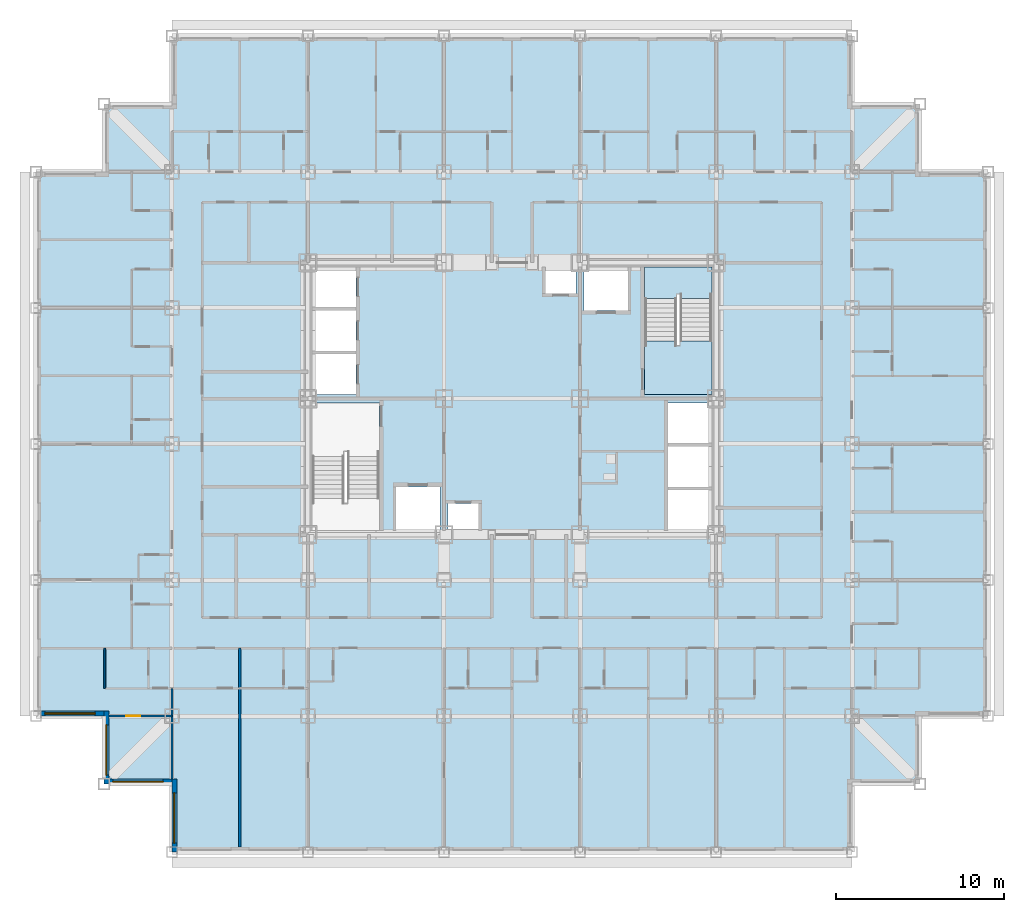
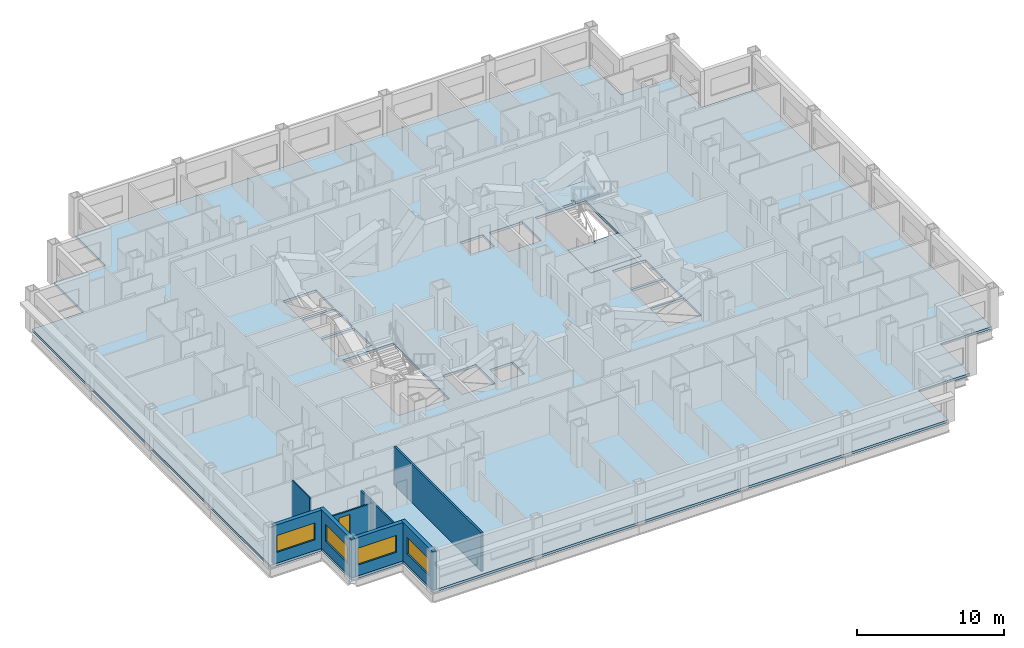
# One storey, part 3 of 14: 8 walls, 4 windows, 3 slabs, 1 door, 5 openings, 1 element without a shape of its own.
"""IFC4 building model written with IfcOpenShell, lengths in metres."""

from ifc_helpers import new_model, si_unit, direction, frame, frame_2d, origin, place, context, subcontext, project, spatial, polyline, rectangle, outline, extrude, material, layer, layer_set, type_object, element, fill, aggregate, save


model = new_model("IFC4")

# Units and contexts
model_context = context("Model", 3, precision=1e-05, world=origin(), true_north=direction((0.0, 1.0)))
body_context = subcontext(model_context, "Body", "Model", "MODEL_VIEW")
ifc_project = project(units=[si_unit("LENGTHUNIT", "METRE"), si_unit("AREAUNIT", "SQUARE_METRE"), si_unit("VOLUMEUNIT", "CUBIC_METRE"), si_unit("PLANEANGLEUNIT", "RADIAN"), si_unit("MASSUNIT", "GRAM", prefix="KILO")], contexts=[model_context])

# Site, building, storey
site_placement = place(None, origin())
site = spatial("IfcSite", under=ifc_project, at=site_placement, CompositionType="ELEMENT")
building_placement = place(site_placement, origin())
building = spatial("IfcBuilding", under=site, at=building_placement, Name="Kopane Lantern Tower", CompositionType="ELEMENT")
storey_placement = place(building_placement, frame((0.0, 0.0, 151.0)))
storey = spatial("IfcBuildingStorey", under=building, at=storey_placement, Name="L39", CompositionType="ELEMENT", Elevation=151.0)

# Slab
ifc_material_1 = material(Name="Concrete C40/50", Category="concrete")
ifc_layer_1 = layer(ifc_material_1, 0.2099609375)
ifc_layer_set_1 = layer_set([ifc_layer_1], Name="SLAB 210 COMPOSITE")
slab_type_1 = type_object("IfcSlabType", Name="SLAB 210 COMPOSITE", PredefinedType="FLOOR", material=ifc_layer_set_1)
slab_1_placement = place(storey_placement, frame((0.0, 0.0, -0.2099609375)))
element("IfcSlab", 1, at=slab_1_placement, inside=storey, type_object=slab_type_1, Name="Floor slab L39", PredefinedType="FLOOR", context=body_context, shape_type="SweptSolid", body=[
    extrude(outline(polyline([(8.10009765625, 5.39990234375), (48.60009765625, 5.39990234375), (48.60009765625, 9.449951171875), (52.64990234375, 9.449951171875), (52.64990234375, 13.5), (56.699951171875, 13.5), (56.699951171875, 45.89990234375), (52.64990234375, 45.89990234375), (52.64990234375, 49.949951171875), (48.60009765625, 49.949951171875), (48.60009765625, 54.0), (8.10009765625, 54.0), (8.10009765625, 49.949951171875), (4.050048828125, 49.949951171875), (4.050048828125, 45.89990234375), (0.0, 45.89990234375), (0.0, 13.5), (4.050048828125, 13.5), (4.050048828125, 9.449951171875), (8.10009765625, 9.449951171875), (8.10009765625, 5.39990234375)]), holes=[polyline([(16.449951171875, 24.550048828125), (20.449951171875, 24.550048828125), (20.449951171875, 32.14990234375), (16.449951171875, 32.14990234375), (16.449951171875, 24.550048828125)]), polyline([(36.25, 32.64990234375), (40.25, 32.64990234375), (40.25, 40.25), (36.25, 40.25), (36.25, 32.64990234375)]), polyline([(16.449951171875, 32.64990234375), (19.050048828125, 32.64990234375), (19.050048828125, 35.050048828125), (16.449951171875, 35.050048828125), (16.449951171875, 32.64990234375)]), polyline([(16.449951171875, 35.25), (19.050048828125, 35.25), (19.050048828125, 37.64990234375), (16.449951171875, 37.64990234375), (16.449951171875, 35.25)]), polyline([(16.449951171875, 37.85009765625), (19.050048828125, 37.85009765625), (19.050048828125, 40.25), (16.449951171875, 40.25), (16.449951171875, 37.85009765625)]), polyline([(37.64990234375, 24.550048828125), (40.25, 24.550048828125), (40.25, 26.949951171875), (37.64990234375, 26.949951171875), (37.64990234375, 24.550048828125)]), polyline([(37.64990234375, 27.14990234375), (40.25, 27.14990234375), (40.25, 29.550048828125), (37.64990234375, 29.550048828125), (37.64990234375, 27.14990234375)]), polyline([(37.64990234375, 29.75), (40.25, 29.75), (40.25, 32.14990234375), (37.64990234375, 32.14990234375), (37.64990234375, 29.75)]), polyline([(21.449951171875, 24.550048828125), (24.050048828125, 24.550048828125), (24.050048828125, 27.14990234375), (21.449951171875, 27.14990234375), (21.449951171875, 24.550048828125)]), polyline([(32.64990234375, 37.64990234375), (35.25, 37.64990234375), (35.25, 40.25), (32.64990234375, 40.25), (32.64990234375, 37.64990234375)]), polyline([(24.550048828125, 24.550048828125), (26.35009765625, 24.550048828125), (26.35009765625, 26.14990234375), (24.550048828125, 26.14990234375), (24.550048828125, 24.550048828125)]), polyline([(30.35009765625, 38.64990234375), (32.14990234375, 38.64990234375), (32.14990234375, 40.25), (30.35009765625, 40.25), (30.35009765625, 38.64990234375)])]), origin(), (0.0, 0.0, 1.0), 0.2099609375),
])

# Stair, slabs
ifc_material_2 = material(Name="Steel S355JR", Category="steel")
stair_type = type_object("IfcStairType", Name="EXIT STAIR 1900 HALF TURN", PredefinedType="HALF_TURN_STAIR", material=ifc_material_2)
stair_placement = place(storey_placement, origin())
stair = element("IfcStair", 2, at=stair_placement, inside=storey, type_object=stair_type, Name="Exit stair ST2 L39", PredefinedType="HALF_TURN_STAIR")
ifc_material_3 = material(Name="Concrete C40/50", Category="concrete")
ifc_layer_2 = layer(ifc_material_3, 0.199951171875)
ifc_layer_set_2 = layer_set([ifc_layer_2], Name="STAIR LANDING 200")
slab_type_2 = type_object("IfcSlabType", Name="STAIR LANDING 200", PredefinedType="LANDING", material=ifc_layer_set_2)
slab_2_placement = place(storey_placement, frame((0.0, 0.0, -0.199951171875)))
slab_2 = element("IfcSlab", 3, at=slab_2_placement, type_object=slab_type_2, Name="ST2 landing 1", PredefinedType="LANDING", context=body_context, shape_type="SweptSolid", body=[
    extrude(outline(polyline([(40.25, 35.830078125), (38.35009765625, 35.830078125), (38.35009765625, 35.550048828125), (38.14990234375, 35.550048828125), (38.14990234375, 35.830078125), (36.25, 35.830078125), (36.25, 32.64990234375), (40.25, 32.64990234375), (40.25, 35.830078125)])), origin(), (0.0, 0.0, 1.0), 0.199951171875),
])
slab_3_placement = place(storey_placement, frame((0.0, 0.0, 1.5)))
slab_3 = element("IfcSlab", 4, at=slab_3_placement, type_object=slab_type_2, Name="ST2 landing 2", PredefinedType="LANDING", context=body_context, shape_type="SweptSolid", body=[
    extrude(outline(polyline([(38.14990234375, 38.6298828125), (38.35009765625, 38.6298828125), (38.35009765625, 38.35009765625), (40.25, 38.35009765625), (40.25, 40.25), (36.25, 40.25), (36.25, 38.35009765625), (38.14990234375, 38.35009765625), (38.14990234375, 38.6298828125)])), origin(), (0.0, 0.0, 1.0), 0.199951171875),
])
aggregate(stair, [slab_2, slab_3])

# Wall
ifc_material_4 = material(Name="Gypsum board on steel studs", Category="steel")
ifc_layer_3 = layer(ifc_material_4, 0.1201171875)
ifc_layer_set_3 = layer_set([ifc_layer_3], Name="APARTMENT INTERNAL WALL 120")
wall_type_1 = type_object("IfcWallType", Name="APARTMENT INTERNAL WALL 120", PredefinedType="PARTITIONING", material=ifc_layer_set_3)
wall_1_placement = place(storey_placement, frame((8.10009765625, 15.14990234375, 0.0), z_axis=(0.0, 0.0, 1.0), x_axis=(0.0, -1.0, 0.0)))
element("IfcWall", 5, at=wall_1_placement, inside=storey, type_object=wall_type_1, Name="Apartment Internal Wall 120 L39", PredefinedType="PARTITIONING", context=body_context, shape_type="SweptSolid", body=[
    extrude(rectangle(XDim=5.39990234375, YDim=0.1201171875, at=frame_2d((2.699951171875, 0.0))), origin(), (0.0, 0.0, 1.0), 2.420166015625),
])

# Wall, opening, door
wall_2_placement = place(storey_placement, frame((8.10009765625, 13.5, 0.0), z_axis=(0.0, 0.0, 1.0), x_axis=(-1.0, 0.0, 0.0)))
wall_2 = element("IfcWall", 6, at=wall_2_placement, inside=storey, type_object=wall_type_1, Name="Apartment Internal Wall 120 L39", PredefinedType="PARTITIONING", context=body_context, shape_type="SweptSolid", body=[
    extrude(rectangle(XDim=3.75, YDim=0.1201171875, at=frame_2d((1.875, 0.0))), origin(), (0.0, 0.0, 1.0), 2.420166015625),
])
opening_1_placement = place(wall_2_placement, frame((1.875, 0.0, 0.0)))
opening_1 = element("IfcOpeningElement", 7, at=opening_1_placement, cuts=wall_2, Name="Opening L39-080", PredefinedType="OPENING", context=body_context, shape_type="SweptSolid", body=[
    extrude(rectangle(XDim=0.85009765625, YDim=2.10009765625, at=frame_2d((0.425048828125, 1.050048828125))), frame((0.0, 0.070068359375, 0.0), z_axis=(0.0, -1.0, 0.0), x_axis=(1.0, 0.0, 0.0)), (0.0, 0.0, 1.0), 0.14013671875),
])
ifc_material_5 = material(Name="Timber door set", Category="wood")
door_type = type_object("IfcDoorType", Name="DOOR D4 850x2100", OperationType="SINGLE_SWING_LEFT", PredefinedType="DOOR", material=ifc_material_5)
door_placement = place(opening_1_placement, origin())
door = element("IfcDoor", 8, at=door_placement, inside=storey, type_object=door_type, Name="Door L39-080", OperationType="SINGLE_SWING_LEFT", OverallHeight=2.10009765625, OverallWidth=0.85009765625, PredefinedType="DOOR", context=body_context, shape_type="SweptSolid", body=[
    extrude(rectangle(XDim=0.85009765625, YDim=2.10009765625, at=frame_2d((0.425048828125, 1.050048828125))), frame((0.0, 0.02490234375, 0.0), z_axis=(0.0, -1.0, 0.0), x_axis=(1.0, 0.0, 0.0)), (0.0, 0.0, 1.0), 0.050048828125),
])
fill(opening_1, door)

# Walls
ifc_material_6 = material(Name="Moisture-resistant board on steel studs", Category="steel")
ifc_layer_4 = layer(ifc_material_6, 0.10009765625)
ifc_layer_set_4 = layer_set([ifc_layer_4], Name="BATHROOM WALL 100")
wall_type_2 = type_object("IfcWallType", Name="BATHROOM WALL 100", PredefinedType="PARTITIONING", material=ifc_layer_set_4)
wall_3_placement = place(storey_placement, frame((4.10009765625, 17.550048828125, 0.0), z_axis=(0.0, 0.0, 1.0), x_axis=(0.0, -1.0, 0.0)))
element("IfcWall", 9, at=wall_3_placement, inside=storey, type_object=wall_type_2, Name="Bathroom Wall 100 L39", PredefinedType="PARTITIONING", context=body_context, shape_type="SweptSolid", body=[
    extrude(rectangle(XDim=2.400146484375, YDim=0.10009765625, at=frame_2d((1.2001953125, 0.0))), origin(), (0.0, 0.0, 1.0), 3.18994140625),
])
ifc_material_7 = material(Name="Gypsum board on steel studs", Category="steel")
ifc_layer_5 = layer(ifc_material_7, 0.14990234375)
ifc_layer_set_5 = layer_set([ifc_layer_5], Name="DEMISING WALL 150 EI 60")
wall_type_3 = type_object("IfcWallType", Name="DEMISING WALL 150 EI 60", PredefinedType="PARTITIONING", material=ifc_layer_set_5)
wall_4_placement = place(storey_placement, frame((12.14990234375, 17.550048828125, 0.0), z_axis=(0.0, 0.0, 1.0), x_axis=(0.0, -1.0, 0.0)))
element("IfcWall", 10, at=wall_4_placement, inside=storey, type_object=wall_type_3, Name="Demising Wall 150 Ei 60 L39", PredefinedType="PARTITIONING", context=body_context, shape_type="SweptSolid", body=[
    extrude(rectangle(XDim=11.85009765625, YDim=0.14990234375, at=frame_2d((5.925048828125, 0.0))), origin(), (0.0, 0.0, 1.0), 3.18994140625),
])

# Wall, opening, window
ifc_material_8 = material(Name="Terracotta rainscreen on light steel framing", Category="masonry")
ifc_layer_6 = layer(ifc_material_8, 0.300048828125)
ifc_layer_set_6 = layer_set([ifc_layer_6], Name="EXTERNAL WALL EW1 300 TERRACOTTA")
wall_type_4 = type_object("IfcWallType", Name="EXTERNAL WALL EW1 300 TERRACOTTA", PredefinedType="SOLIDWALL", material=ifc_layer_set_6)
wall_5_placement = place(storey_placement, frame((0.300048828125, 13.64990234375, 0.0), z_axis=(0.0, 0.0, 1.0), x_axis=(1.0, 0.0, 0.0)))
wall_5 = element("IfcWall", 11, at=wall_5_placement, inside=storey, type_object=wall_type_4, Name="External wall S L39", PredefinedType="SOLIDWALL", context=body_context, shape_type="SweptSolid", body=[
    extrude(rectangle(XDim=3.75, YDim=0.300048828125, at=frame_2d((1.875, 0.0))), origin(), (0.0, 0.0, 1.0), 3.18994140625),
])
opening_2_placement = place(wall_5_placement, frame((0.22509765625, 0.0, 0.89990234375)))
opening_2 = element("IfcOpeningElement", 12, at=opening_2_placement, cuts=wall_5, Name="Opening WR300140", PredefinedType="OPENING", context=body_context, shape_type="SweptSolid", body=[
    extrude(rectangle(XDim=3.0, YDim=1.39990234375, at=frame_2d((1.5, 0.699951171875))), frame((0.0, 0.159912109375, 0.0), z_axis=(0.0, -1.0, 0.0), x_axis=(1.0, 0.0, 0.0)), (0.0, 0.0, 1.0), 0.320068359375),
])
ifc_material_9 = material(Name="Aluminium and clear glass", Category="aluminium")
window_type = type_object("IfcWindowType", Name="RIBBON WINDOW WR300140 3000x1400", PartitioningType="SINGLE_PANEL", PredefinedType="WINDOW", material=ifc_material_9)
window_1_placement = place(opening_2_placement, origin())
window_1 = element("IfcWindow", 13, at=window_1_placement, inside=storey, type_object=window_type, Name="Window S L39", OverallHeight=1.39990234375, OverallWidth=3.0, PartitioningType="SINGLE_PANEL", PredefinedType="WINDOW", context=body_context, shape_type="SweptSolid", body=[
    extrude(rectangle(XDim=3.0, YDim=1.39990234375, at=frame_2d((1.5, 0.699951171875))), frame((0.0, 0.030029296875, 0.0), z_axis=(0.0, -1.0, 0.0), x_axis=(1.0, 0.0, 0.0)), (0.0, 0.0, 1.0), 0.06005859375),
])
fill(opening_2, window_1)

wall_6_placement = place(storey_placement, frame((4.199951171875, 13.800048828125, 0.0), z_axis=(0.0, 0.0, 1.0), x_axis=(0.0, -1.0, 0.0)))
wall_6 = element("IfcWall", 14, at=wall_6_placement, inside=storey, type_object=wall_type_4, Name="External wall W L39", PredefinedType="SOLIDWALL", context=body_context, shape_type="SweptSolid", body=[
    extrude(rectangle(XDim=4.35009765625, YDim=0.300048828125, at=frame_2d((2.175048828125, 0.0))), origin(), (0.0, 0.0, 1.0), 3.18994140625),
])
opening_3_placement = place(wall_6_placement, frame((0.824951171875, 0.0, 0.89990234375)))
opening_3 = element("IfcOpeningElement", 15, at=opening_3_placement, cuts=wall_6, Name="Opening WR300140", PredefinedType="OPENING", context=body_context, shape_type="SweptSolid", body=[
    extrude(rectangle(XDim=3.0, YDim=1.39990234375, at=frame_2d((1.5, 0.699951171875))), frame((0.0, 0.159912109375, 0.0), z_axis=(0.0, -1.0, 0.0), x_axis=(1.0, 0.0, 0.0)), (0.0, 0.0, 1.0), 0.320068359375),
])
window_2_placement = place(opening_3_placement, origin())
window_2 = element("IfcWindow", 16, at=window_2_placement, inside=storey, type_object=window_type, Name="Window W L39", OverallHeight=1.39990234375, OverallWidth=3.0, PartitioningType="SINGLE_PANEL", PredefinedType="WINDOW", context=body_context, shape_type="SweptSolid", body=[
    extrude(rectangle(XDim=3.0, YDim=1.39990234375, at=frame_2d((1.5, 0.699951171875))), frame((0.0, 0.030029296875, 0.0), z_axis=(0.0, -1.0, 0.0), x_axis=(1.0, 0.0, 0.0)), (0.0, 0.0, 1.0), 0.06005859375),
])
fill(opening_3, window_2)

wall_7_placement = place(storey_placement, frame((4.35009765625, 9.60009765625, 0.0), z_axis=(0.0, 0.0, 1.0), x_axis=(1.0, 0.0, 0.0)))
wall_7 = element("IfcWall", 17, at=wall_7_placement, inside=storey, type_object=wall_type_4, Name="External wall S L39", PredefinedType="SOLIDWALL", context=body_context, shape_type="SweptSolid", body=[
    extrude(rectangle(XDim=3.75, YDim=0.300048828125, at=frame_2d((1.875, 0.0))), origin(), (0.0, 0.0, 1.0), 3.18994140625),
])
opening_4_placement = place(wall_7_placement, frame((0.22509765625, 0.0, 0.89990234375)))
opening_4 = element("IfcOpeningElement", 18, at=opening_4_placement, cuts=wall_7, Name="Opening WR300140", PredefinedType="OPENING", context=body_context, shape_type="SweptSolid", body=[
    extrude(rectangle(XDim=3.0, YDim=1.39990234375, at=frame_2d((1.5, 0.699951171875))), frame((0.0, 0.159912109375, 0.0), z_axis=(0.0, -1.0, 0.0), x_axis=(1.0, 0.0, 0.0)), (0.0, 0.0, 1.0), 0.320068359375),
])
window_3_placement = place(opening_4_placement, origin())
window_3 = element("IfcWindow", 19, at=window_3_placement, inside=storey, type_object=window_type, Name="Window S L39", OverallHeight=1.39990234375, OverallWidth=3.0, PartitioningType="SINGLE_PANEL", PredefinedType="WINDOW", context=body_context, shape_type="SweptSolid", body=[
    extrude(rectangle(XDim=3.0, YDim=1.39990234375, at=frame_2d((1.5, 0.699951171875))), frame((0.0, 0.030029296875, 0.0), z_axis=(0.0, -1.0, 0.0), x_axis=(1.0, 0.0, 0.0)), (0.0, 0.0, 1.0), 0.06005859375),
])
fill(opening_4, window_3)

wall_8_placement = place(storey_placement, frame((8.25, 9.75, 0.0), z_axis=(0.0, 0.0, 1.0), x_axis=(0.0, -1.0, 0.0)))
wall_8 = element("IfcWall", 20, at=wall_8_placement, inside=storey, type_object=wall_type_4, Name="External wall W L39", PredefinedType="SOLIDWALL", context=body_context, shape_type="SweptSolid", body=[
    extrude(rectangle(XDim=4.35009765625, YDim=0.300048828125, at=frame_2d((2.175048828125, 0.0))), origin(), (0.0, 0.0, 1.0), 3.18994140625),
])
opening_5_placement = place(wall_8_placement, frame((0.824951171875, 0.0, 0.89990234375)))
opening_5 = element("IfcOpeningElement", 21, at=opening_5_placement, cuts=wall_8, Name="Opening WR300140", PredefinedType="OPENING", context=body_context, shape_type="SweptSolid", body=[
    extrude(rectangle(XDim=3.0, YDim=1.39990234375, at=frame_2d((1.5, 0.699951171875))), frame((0.0, 0.159912109375, 0.0), z_axis=(0.0, -1.0, 0.0), x_axis=(1.0, 0.0, 0.0)), (0.0, 0.0, 1.0), 0.320068359375),
])
window_4_placement = place(opening_5_placement, origin())
window_4 = element("IfcWindow", 22, at=window_4_placement, inside=storey, type_object=window_type, Name="Window W L39", OverallHeight=1.39990234375, OverallWidth=3.0, PartitioningType="SINGLE_PANEL", PredefinedType="WINDOW", context=body_context, shape_type="SweptSolid", body=[
    extrude(rectangle(XDim=3.0, YDim=1.39990234375, at=frame_2d((1.5, 0.699951171875))), frame((0.0, 0.030029296875, 0.0), z_axis=(0.0, -1.0, 0.0), x_axis=(1.0, 0.0, 0.0)), (0.0, 0.0, 1.0), 0.06005859375),
])
fill(opening_5, window_4)

save(model, "model.ifc")
